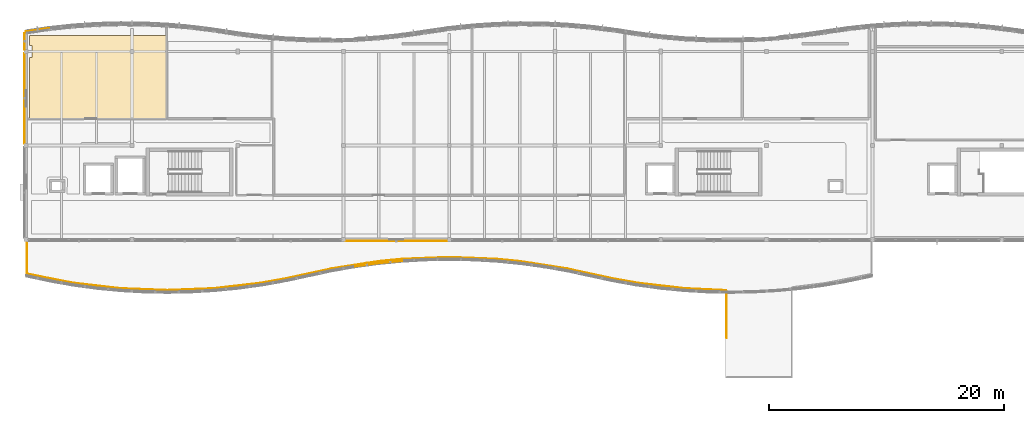
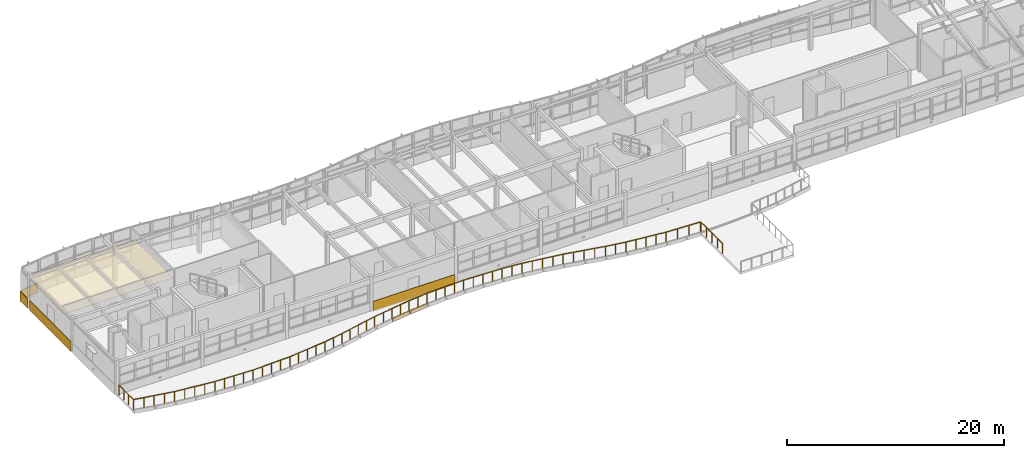
# One storey, part 28 of 33: 7 coverings, 1 railing.
"""IFC4 building model written with IfcOpenShell, lengths in metres."""

from ifc_helpers import new_model, si_unit, direction, frame, origin, origin_2d, place, context, subcontext, project, spatial, polyline, circle, outline, extrude, material, layer, layer_set, type_object, element, save


model = new_model("IFC4")

# Units and contexts
model_context = context("Model", 3, precision=1e-05, world=origin(), true_north=direction((0.0, 1.0)))
body_context = subcontext(model_context, "Body", "Model", "MODEL_VIEW")
ifc_project = project(units=[si_unit("LENGTHUNIT", "METRE"), si_unit("AREAUNIT", "SQUARE_METRE"), si_unit("VOLUMEUNIT", "CUBIC_METRE"), si_unit("PLANEANGLEUNIT", "RADIAN"), si_unit("MASSUNIT", "GRAM", prefix="KILO")], contexts=[model_context])

# Site, building, storey
site_placement = place(None, origin())
site = spatial("IfcSite", under=ifc_project, at=site_placement, CompositionType="ELEMENT")
building_placement = place(site_placement, origin())
building = spatial("IfcBuilding", under=site, at=building_placement, Name="Tonlespit Floodbar School", CompositionType="ELEMENT")
storey_placement = place(building_placement, frame((0.0, 0.0, 16.199951171875)))
storey = spatial("IfcBuildingStorey", under=building, at=storey_placement, Name="L04", CompositionType="ELEMENT", Elevation=16.199951171875)

# Coverings
ifc_material_1 = material(Name="Acoustic Mineral Tile")
ifc_layer_1 = layer(ifc_material_1, 0.02001953125)
ifc_layer_set_1 = layer_set([ifc_layer_1], Name="Acoustic Mineral Tile")
covering_type_1 = type_object("IfcCoveringType", Name="Ceiling_Acoustic_20", PredefinedType="CEILING", material=ifc_layer_set_1)
covering_1_placement = place(storey_placement, frame((0.0, 0.0, 2.650146484375)))
element("IfcCovering", 1, at=covering_1_placement, inside=storey, type_object=covering_type_1, Name="L04 Senior Mathematics Classroom 401 acoustic ceiling", PredefinedType="CEILING", context=body_context, shape_type="SweptSolid", body=[
    extrude(outline(polyline([(44.27001953125, 121.372802734375), (55.929931640625, 121.372802734375), (55.929931640625, 114.27001953125), (44.27001953125, 114.27001953125), (44.27001953125, 119.489990234375), (44.510009765625, 119.489990234375), (44.510009765625, 120.510009765625), (44.27001953125, 120.510009765625), (44.27001953125, 121.372802734375)])), origin(), (0.0, 0.0, 1.0), 0.02001953125),
])
ifc_material_2 = material(Name="White Architectural Aluminium", Category="aluminium")
ifc_layer_2 = layer(ifc_material_2, 0.050048828125)
ifc_layer_set_2 = layer_set([ifc_layer_2], Name="White Architectural Aluminium")
covering_type_2 = type_object("IfcCoveringType", Name="Cladding_WhiteBand_50", PredefinedType="CLADDING", material=ifc_layer_set_2)
covering_2_placement = place(storey_placement, frame((0.0, 0.0, -0.119873046875)))
element("IfcCovering", 2, at=covering_2_placement, inside=storey, type_object=covering_type_2, Name="L04 curved white spandrel cladding 0297", PredefinedType="CLADDING", context=body_context, shape_type="SweptSolid", body=[
    extrude(outline(polyline([(43.985595703125, 121.64892578125), (45.985595703125, 121.940673828125), (45.978515625, 121.989990234375), (43.978515625, 121.698486328125), (43.985595703125, 121.64892578125)])), origin(), (0.0, 0.0, 1.0), 1.06982421875),
])
covering_3_placement = place(storey_placement, frame((0.0, 0.0, -0.119873046875)))
element("IfcCovering", 3, at=covering_3_placement, inside=storey, type_object=covering_type_2, Name="L04 curved white spandrel cladding 0337", PredefinedType="CLADDING", context=body_context, shape_type="SweptSolid", body=[
    extrude(outline(polyline([(79.840087890625, 103.8798828125), (71.159912109375, 103.8798828125), (71.159912109375, 103.830078125), (79.840087890625, 103.830078125), (79.840087890625, 103.8798828125)])), origin(), (0.0, 0.0, 1.0), 1.119873046875),
])
covering_4_placement = place(storey_placement, frame((0.0, 0.0, -0.119873046875)))
element("IfcCovering", 4, at=covering_4_placement, inside=storey, type_object=covering_type_2, Name="L04 curved white spandrel cladding 0342", PredefinedType="CLADDING", context=body_context, shape_type="SweptSolid", body=[
    extrude(outline(polyline([(43.8798828125, 112.159912109375), (43.8798828125, 119.840087890625), (43.830078125, 119.840087890625), (43.830078125, 112.159912109375), (43.8798828125, 112.159912109375)])), origin(), (0.0, 0.0, 1.0), 1.119873046875),
])
covering_5_placement = place(storey_placement, frame((0.0, 0.0, -0.119873046875)))
element("IfcCovering", 5, at=covering_5_placement, inside=storey, type_object=covering_type_2, Name="L04 curved white spandrel cladding 0343", PredefinedType="CLADDING", context=body_context, shape_type="SweptSolid", body=[
    extrude(outline(polyline([(43.8798828125, 120.159912109375), (43.8798828125, 121.550048828125), (43.830078125, 121.550048828125), (43.830078125, 120.159912109375), (43.8798828125, 120.159912109375)])), origin(), (0.0, 0.0, 1.0), 1.119873046875),
])
covering_6_placement = place(storey_placement, frame((0.0, 0.0, -0.300048828125)))
element("IfcCovering", 6, at=covering_6_placement, inside=storey, type_object=covering_type_2, Name="L04 curved white spandrel cladding 0358", PredefinedType="CLADDING", context=body_context, shape_type="SweptSolid", body=[
    extrude(outline(polyline([(72.0, 101.744384765625), (74.0, 102.01611328125), (74.0, 101.96630859375), (72.0, 101.694580078125), (72.0, 101.744384765625)])), origin(), (0.0, 0.0, 1.0), 0.420166015625),
])
covering_7_placement = place(storey_placement, frame((0.0, 0.0, -0.300048828125)))
element("IfcCovering", 7, at=covering_7_placement, inside=storey, type_object=covering_type_2, Name="L04 curved white spandrel cladding 0359", PredefinedType="CLADDING", context=body_context, shape_type="SweptSolid", body=[
    extrude(outline(polyline([(74.0, 102.01611328125), (76.0, 102.20947265625), (76.0, 102.159423828125), (74.0, 101.96630859375), (74.0, 102.01611328125)])), origin(), (0.0, 0.0, 1.0), 0.420166015625),
])

# Railing
ifc_material_3 = material(Name="Anodised Aluminium", Category="aluminium")
railing_type = type_object("IfcRailingType", Name="Guardrail_Terrace_1150", PredefinedType="GUARDRAIL", material=ifc_material_3)
railing_placement = place(storey_placement, frame((103.600341796875, 95.639892578125, 0.0)))
element("IfcRailing", 8, at=railing_placement, inside=storey, type_object=railing_type, Name="L04 terrace balustrade 031", PredefinedType="GUARDRAIL", context=body_context, shape_type="SweptSolid", body=[
    extrude(circle(Radius=0.02392578125, at=origin_2d()), frame((0.0, 0.0, 1.1259765625), z_axis=(-6.1862048e-05, 0.999999998087, 0.0), x_axis=(-0.999999998087, -6.1862048e-05, 0.0)), (0.0, 0.0, 1.0), 3.946533203125),
    extrude(circle(Radius=0.02392578125, at=origin_2d()), frame((-0.000244140625, 3.946533203125, 1.1259765625), z_axis=(-0.435928453727, 0.899981323824, 0.0), x_axis=(-0.899981323824, -0.435928453727, 0.0)), (0.0, 0.0, 1.0), 0.0869140625),
    extrude(circle(Radius=0.02392578125, at=origin_2d()), frame((-0.0380859375, 4.024658203125, 1.1259765625), z_axis=(-0.998914972034, 0.046571221231, 0.0), x_axis=(-0.046571221231, -0.998914972034, 0.0)), (0.0, 0.0, 1.0), 3.5595703125),
    extrude(circle(Radius=0.02392578125, at=origin_2d()), frame((-3.59375, 4.1904296875, 1.1259765625), z_axis=(-0.993312076487, 0.115460463819, 0.0), x_axis=(-0.115460463819, -0.993312076487, 0.0)), (0.0, 0.0, 1.0), 4.021728515625),
    extrude(circle(Radius=0.02392578125, at=origin_2d()), frame((-7.588623046875, 4.65478515625, 1.1259765625), z_axis=(-0.984903382322, 0.17310496091, 0.0), x_axis=(-0.17310496091, -0.984903382322, 0.0)), (0.0, 0.0, 1.0), 2.026611328125),
    extrude(circle(Radius=0.02392578125, at=origin_2d()), frame((-9.584716796875, 5.005615234375, 1.1259765625), z_axis=(-0.977361824741, 0.211574723297, 0.0), x_axis=(-0.211574723297, -0.977361824741, 0.0)), (0.0, 0.0, 1.0), 4.090576171875),
    extrude(circle(Radius=0.02392578125, at=origin_2d()), frame((-13.582763671875, 5.87109375, 1.1259765625), z_axis=(-0.988066810588, 0.154025899816, 0.0), x_axis=(-0.154025899816, -0.988066810588, 0.0)), (0.0, 0.0, 1.0), 4.052978515625),
    extrude(circle(Radius=0.02392578125, at=origin_2d()), frame((-17.58740234375, 6.495361328125, 1.1259765625), z_axis=(-0.995357134212, 0.096250586355, 0.0), x_axis=(-0.096250586355, -0.995357134212, 0.0)), (0.0, 0.0, 1.0), 2.013916015625),
    extrude(circle(Radius=0.02392578125, at=origin_2d()), frame((-19.592041015625, 6.689208984375, 1.1259765625), z_axis=(-0.999258472478, 0.038503313901, 0.0), x_axis=(-0.038503313901, -0.999258472478, 0.0)), (0.0, 0.0, 1.0), 4.00732421875),
    extrude(circle(Radius=0.02392578125, at=origin_2d()), frame((-23.596435546875, 6.843505859375, 1.1259765625), z_axis=(-0.999263870555, -0.038362963952, 0.0), x_axis=(0.038362963952, -0.999263870555, 0.0)), (0.0, 0.0, 1.0), 4.00927734375),
    extrude(circle(Radius=0.02392578125, at=origin_2d()), frame((-27.602783203125, 6.689697265625, 1.1259765625), z_axis=(-0.995368740657, -0.096130484879, 0.0), x_axis=(0.096130484879, -0.995368740657, 0.0)), (0.0, 0.0, 1.0), 2.013916015625),
    extrude(circle(Radius=0.02392578125, at=origin_2d()), frame((-29.607421875, 6.49609375, 1.1259765625), z_axis=(-0.988085138597, -0.153908280748, 0.0), x_axis=(0.153908280748, -0.988085138597, 0.0)), (0.0, 0.0, 1.0), 4.052978515625),
    extrude(circle(Radius=0.02392578125, at=origin_2d()), frame((-33.612060546875, 5.872314453125, 1.1259765625), z_axis=(-0.977358896964, -0.211588247605, 0.0), x_axis=(0.211588247605, -0.977358896964, 0.0)), (0.0, 0.0, 1.0), 4.09619140625),
    extrude(circle(Radius=0.02392578125, at=origin_2d()), frame((-37.615478515625, 5.005615234375, 1.1259765625), z_axis=(-0.984903382322, -0.17310496091, 0.0), x_axis=(0.17310496091, -0.984903382322, 0.0)), (0.0, 0.0, 1.0), 2.026611328125),
    extrude(circle(Radius=0.02392578125, at=origin_2d()), frame((-39.611572265625, 4.65478515625, 1.1259765625), z_axis=(-0.993311267151, -0.115467426361, 0.0), x_axis=(0.115467426361, -0.993311267151, 0.0)), (0.0, 0.0, 1.0), 4.021484375),
    extrude(circle(Radius=0.02392578125, at=origin_2d()), frame((-43.606201171875, 4.1904296875, 1.1259765625), z_axis=(-0.9992591882, -0.038484734599, 0.0), x_axis=(0.038484734599, -0.9992591882, 0.0)), (0.0, 0.0, 1.0), 3.99658203125),
    extrude(circle(Radius=0.02392578125, at=origin_2d()), frame((-47.599853515625, 4.03662109375, 1.1259765625), z_axis=(-0.999259278666, 0.038482385571, 0.0), x_axis=(-0.038482385571, -0.999259278666, 0.0)), (0.0, 0.0, 1.0), 3.996826171875),
    extrude(circle(Radius=0.02392578125, at=origin_2d()), frame((-51.59375, 4.1904296875, 1.1259765625), z_axis=(-0.993308838266, 0.115488318991, 0.0), x_axis=(-0.115488318991, -0.993308838266, 0.0)), (0.0, 0.0, 1.0), 4.020751953125),
    extrude(circle(Radius=0.02392578125, at=origin_2d()), frame((-55.587646484375, 4.65478515625, 1.1259765625), z_axis=(-0.981314200829, 0.19241215983, 0.0), x_axis=(-0.19241215983, -0.981314200829, 0.0)), (0.0, 0.0, 1.0), 4.007080078125),
    extrude(circle(Radius=0.02392578125, at=origin_2d()), frame((-59.519775390625, 5.42578125, 1.1259765625), z_axis=(-9.0859531e-05, 0.999999995872, 0.0), x_axis=(-0.999999995872, -9.0859531e-05, 0.0)), (0.0, 0.0, 1.0), 2.68701171875),
    extrude(circle(Radius=0.02099609375, at=origin_2d()), origin(), (0.0, 0.0, 1.0), 1.101806640625),
    extrude(circle(Radius=0.02099609375, at=origin_2d()), frame((0.0, 0.986572265625, 0.0)), (0.0, 0.0, 1.0), 1.101806640625),
    extrude(circle(Radius=0.02099609375, at=origin_2d()), frame((0.0, 1.97314453125, 0.0)), (0.0, 0.0, 1.0), 1.101806640625),
    extrude(circle(Radius=0.02099609375, at=origin_2d()), frame((-0.000244140625, 2.9599609375, 0.0)), (0.0, 0.0, 1.0), 1.101806640625),
    extrude(circle(Radius=0.02099609375, at=origin_2d()), frame((-0.000244140625, 3.946533203125, 0.0)), (0.0, 0.0, 1.0), 1.101806640625),
    extrude(circle(Radius=0.02099609375, at=origin_2d()), frame((-0.0380859375, 4.024658203125, 0.0)), (0.0, 0.0, 1.0), 1.101806640625),
    extrude(circle(Radius=0.02099609375, at=origin_2d()), frame((-1.223388671875, 4.079833984375, 0.0)), (0.0, 0.0, 1.0), 1.101806640625),
    extrude(circle(Radius=0.02099609375, at=origin_2d()), frame((-2.408447265625, 4.13525390625, 0.0)), (0.0, 0.0, 1.0), 1.101806640625),
    extrude(circle(Radius=0.02099609375, at=origin_2d()), frame((-3.59375, 4.1904296875, 0.0)), (0.0, 0.0, 1.0), 1.101806640625),
    extrude(circle(Radius=0.02099609375, at=origin_2d()), frame((-4.592529296875, 4.306640625, 0.0)), (0.0, 0.0, 1.0), 1.101806640625),
    extrude(circle(Radius=0.02099609375, at=origin_2d()), frame((-5.59130859375, 4.422607421875, 0.0)), (0.0, 0.0, 1.0), 1.101806640625),
    extrude(circle(Radius=0.02099609375, at=origin_2d()), frame((-6.58984375, 4.53857421875, 0.0)), (0.0, 0.0, 1.0), 1.101806640625),
    extrude(circle(Radius=0.02099609375, at=origin_2d()), frame((-7.588623046875, 4.65478515625, 0.0)), (0.0, 0.0, 1.0), 1.101806640625),
    extrude(circle(Radius=0.02099609375, at=origin_2d()), frame((-8.586669921875, 4.830078125, 0.0)), (0.0, 0.0, 1.0), 1.101806640625),
    extrude(circle(Radius=0.02099609375, at=origin_2d()), frame((-9.584716796875, 5.005615234375, 0.0)), (0.0, 0.0, 1.0), 1.101806640625),
    extrude(circle(Radius=0.02099609375, at=origin_2d()), frame((-10.584228515625, 5.221923828125, 0.0)), (0.0, 0.0, 1.0), 1.101806640625),
    extrude(circle(Radius=0.02099609375, at=origin_2d()), frame((-11.583740234375, 5.4384765625, 0.0)), (0.0, 0.0, 1.0), 1.101806640625),
    extrude(circle(Radius=0.02099609375, at=origin_2d()), frame((-12.583251953125, 5.65478515625, 0.0)), (0.0, 0.0, 1.0), 1.101806640625),
    extrude(circle(Radius=0.02099609375, at=origin_2d()), frame((-13.582763671875, 5.87109375, 0.0)), (0.0, 0.0, 1.0), 1.101806640625),
    extrude(circle(Radius=0.02099609375, at=origin_2d()), frame((-14.583984375, 6.027099609375, 0.0)), (0.0, 0.0, 1.0), 1.101806640625),
    extrude(circle(Radius=0.02099609375, at=origin_2d()), frame((-15.5849609375, 6.18310546875, 0.0)), (0.0, 0.0, 1.0), 1.101806640625),
    extrude(circle(Radius=0.02099609375, at=origin_2d()), frame((-16.586181640625, 6.33935546875, 0.0)), (0.0, 0.0, 1.0), 1.101806640625),
    extrude(circle(Radius=0.02099609375, at=origin_2d()), frame((-17.58740234375, 6.495361328125, 0.0)), (0.0, 0.0, 1.0), 1.101806640625),
    extrude(circle(Radius=0.02099609375, at=origin_2d()), frame((-18.58984375, 6.59228515625, 0.0)), (0.0, 0.0, 1.0), 1.101806640625),
    extrude(circle(Radius=0.02099609375, at=origin_2d()), frame((-19.592041015625, 6.689208984375, 0.0)), (0.0, 0.0, 1.0), 1.101806640625),
    extrude(circle(Radius=0.02099609375, at=origin_2d()), frame((-20.59326171875, 6.727783203125, 0.0)), (0.0, 0.0, 1.0), 1.101806640625),
    extrude(circle(Radius=0.02099609375, at=origin_2d()), frame((-21.59423828125, 6.766357421875, 0.0)), (0.0, 0.0, 1.0), 1.101806640625),
    extrude(circle(Radius=0.02099609375, at=origin_2d()), frame((-22.59521484375, 6.804931640625, 0.0)), (0.0, 0.0, 1.0), 1.101806640625),
    extrude(circle(Radius=0.02099609375, at=origin_2d()), frame((-23.596435546875, 6.843505859375, 0.0)), (0.0, 0.0, 1.0), 1.101806640625),
    extrude(circle(Radius=0.02099609375, at=origin_2d()), frame((-24.59814453125, 6.80517578125, 0.0)), (0.0, 0.0, 1.0), 1.101806640625),
    extrude(circle(Radius=0.02099609375, at=origin_2d()), frame((-25.599609375, 6.7666015625, 0.0)), (0.0, 0.0, 1.0), 1.101806640625),
    extrude(circle(Radius=0.02099609375, at=origin_2d()), frame((-26.60107421875, 6.72802734375, 0.0)), (0.0, 0.0, 1.0), 1.101806640625),
    extrude(circle(Radius=0.02099609375, at=origin_2d()), frame((-27.602783203125, 6.689697265625, 0.0)), (0.0, 0.0, 1.0), 1.101806640625),
    extrude(circle(Radius=0.02099609375, at=origin_2d()), frame((-28.60498046875, 6.5927734375, 0.0)), (0.0, 0.0, 1.0), 1.101806640625),
    extrude(circle(Radius=0.02099609375, at=origin_2d()), frame((-29.607421875, 6.49609375, 0.0)), (0.0, 0.0, 1.0), 1.101806640625),
    extrude(circle(Radius=0.02099609375, at=origin_2d()), frame((-30.608642578125, 6.340087890625, 0.0)), (0.0, 0.0, 1.0), 1.101806640625),
    extrude(circle(Radius=0.02099609375, at=origin_2d()), frame((-31.60986328125, 6.18408203125, 0.0)), (0.0, 0.0, 1.0), 1.101806640625),
    extrude(circle(Radius=0.02099609375, at=origin_2d()), frame((-32.61083984375, 6.0283203125, 0.0)), (0.0, 0.0, 1.0), 1.101806640625),
    extrude(circle(Radius=0.02099609375, at=origin_2d()), frame((-33.612060546875, 5.872314453125, 0.0)), (0.0, 0.0, 1.0), 1.101806640625),
    extrude(circle(Radius=0.02099609375, at=origin_2d()), frame((-34.61279296875, 5.65576171875, 0.0)), (0.0, 0.0, 1.0), 1.101806640625),
    extrude(circle(Radius=0.02099609375, at=origin_2d()), frame((-35.61376953125, 5.43896484375, 0.0)), (0.0, 0.0, 1.0), 1.101806640625),
    extrude(circle(Radius=0.02099609375, at=origin_2d()), frame((-36.61474609375, 5.22216796875, 0.0)), (0.0, 0.0, 1.0), 1.101806640625),
    extrude(circle(Radius=0.02099609375, at=origin_2d()), frame((-37.615478515625, 5.005615234375, 0.0)), (0.0, 0.0, 1.0), 1.101806640625),
    extrude(circle(Radius=0.02099609375, at=origin_2d()), frame((-38.613525390625, 4.830078125, 0.0)), (0.0, 0.0, 1.0), 1.101806640625),
    extrude(circle(Radius=0.02099609375, at=origin_2d()), frame((-39.611572265625, 4.65478515625, 0.0)), (0.0, 0.0, 1.0), 1.101806640625),
    extrude(circle(Radius=0.02099609375, at=origin_2d()), frame((-40.6103515625, 4.53857421875, 0.0)), (0.0, 0.0, 1.0), 1.101806640625),
    extrude(circle(Radius=0.02099609375, at=origin_2d()), frame((-41.60888671875, 4.422607421875, 0.0)), (0.0, 0.0, 1.0), 1.101806640625),
    extrude(circle(Radius=0.02099609375, at=origin_2d()), frame((-42.607421875, 4.306640625, 0.0)), (0.0, 0.0, 1.0), 1.101806640625),
    extrude(circle(Radius=0.02099609375, at=origin_2d()), frame((-43.606201171875, 4.1904296875, 0.0)), (0.0, 0.0, 1.0), 1.101806640625),
    extrude(circle(Radius=0.02099609375, at=origin_2d()), frame((-44.6044921875, 4.15185546875, 0.0)), (0.0, 0.0, 1.0), 1.101806640625),
    extrude(circle(Radius=0.02099609375, at=origin_2d()), frame((-45.60302734375, 4.113525390625, 0.0)), (0.0, 0.0, 1.0), 1.101806640625),
    extrude(circle(Radius=0.02099609375, at=origin_2d()), frame((-46.6015625, 4.0751953125, 0.0)), (0.0, 0.0, 1.0), 1.101806640625),
    extrude(circle(Radius=0.02099609375, at=origin_2d()), frame((-47.599853515625, 4.03662109375, 0.0)), (0.0, 0.0, 1.0), 1.101806640625),
    extrude(circle(Radius=0.02099609375, at=origin_2d()), frame((-48.598388671875, 4.0751953125, 0.0)), (0.0, 0.0, 1.0), 1.101806640625),
    extrude(circle(Radius=0.02099609375, at=origin_2d()), frame((-49.5966796875, 4.113525390625, 0.0)), (0.0, 0.0, 1.0), 1.101806640625),
    extrude(circle(Radius=0.02099609375, at=origin_2d()), frame((-50.59521484375, 4.15185546875, 0.0)), (0.0, 0.0, 1.0), 1.101806640625),
    extrude(circle(Radius=0.02099609375, at=origin_2d()), frame((-51.59375, 4.1904296875, 0.0)), (0.0, 0.0, 1.0), 1.101806640625),
    extrude(circle(Radius=0.02099609375, at=origin_2d()), frame((-52.59228515625, 4.306640625, 0.0)), (0.0, 0.0, 1.0), 1.101806640625),
    extrude(circle(Radius=0.02099609375, at=origin_2d()), frame((-53.5908203125, 4.422607421875, 0.0)), (0.0, 0.0, 1.0), 1.101806640625),
    extrude(circle(Radius=0.02099609375, at=origin_2d()), frame((-54.589111328125, 4.53857421875, 0.0)), (0.0, 0.0, 1.0), 1.101806640625),
    extrude(circle(Radius=0.02099609375, at=origin_2d()), frame((-55.587646484375, 4.65478515625, 0.0)), (0.0, 0.0, 1.0), 1.101806640625),
    extrude(circle(Radius=0.02099609375, at=origin_2d()), frame((-56.57080078125, 4.84765625, 0.0)), (0.0, 0.0, 1.0), 1.101806640625),
    extrude(circle(Radius=0.02099609375, at=origin_2d()), frame((-57.5537109375, 5.040283203125, 0.0)), (0.0, 0.0, 1.0), 1.101806640625),
    extrude(circle(Radius=0.02099609375, at=origin_2d()), frame((-58.53662109375, 5.23291015625, 0.0)), (0.0, 0.0, 1.0), 1.101806640625),
    extrude(circle(Radius=0.02099609375, at=origin_2d()), frame((-59.519775390625, 5.42578125, 0.0)), (0.0, 0.0, 1.0), 1.101806640625),
    extrude(circle(Radius=0.02099609375, at=origin_2d()), frame((-59.519775390625, 6.321533203125, 0.0)), (0.0, 0.0, 1.0), 1.101806640625),
    extrude(circle(Radius=0.02099609375, at=origin_2d()), frame((-59.52001953125, 7.217041015625, 0.0)), (0.0, 0.0, 1.0), 1.101806640625),
    extrude(circle(Radius=0.02099609375, at=origin_2d()), frame((-59.52001953125, 8.11279296875, 0.0)), (0.0, 0.0, 1.0), 1.101806640625),
])

save(model, "model.ifc")
